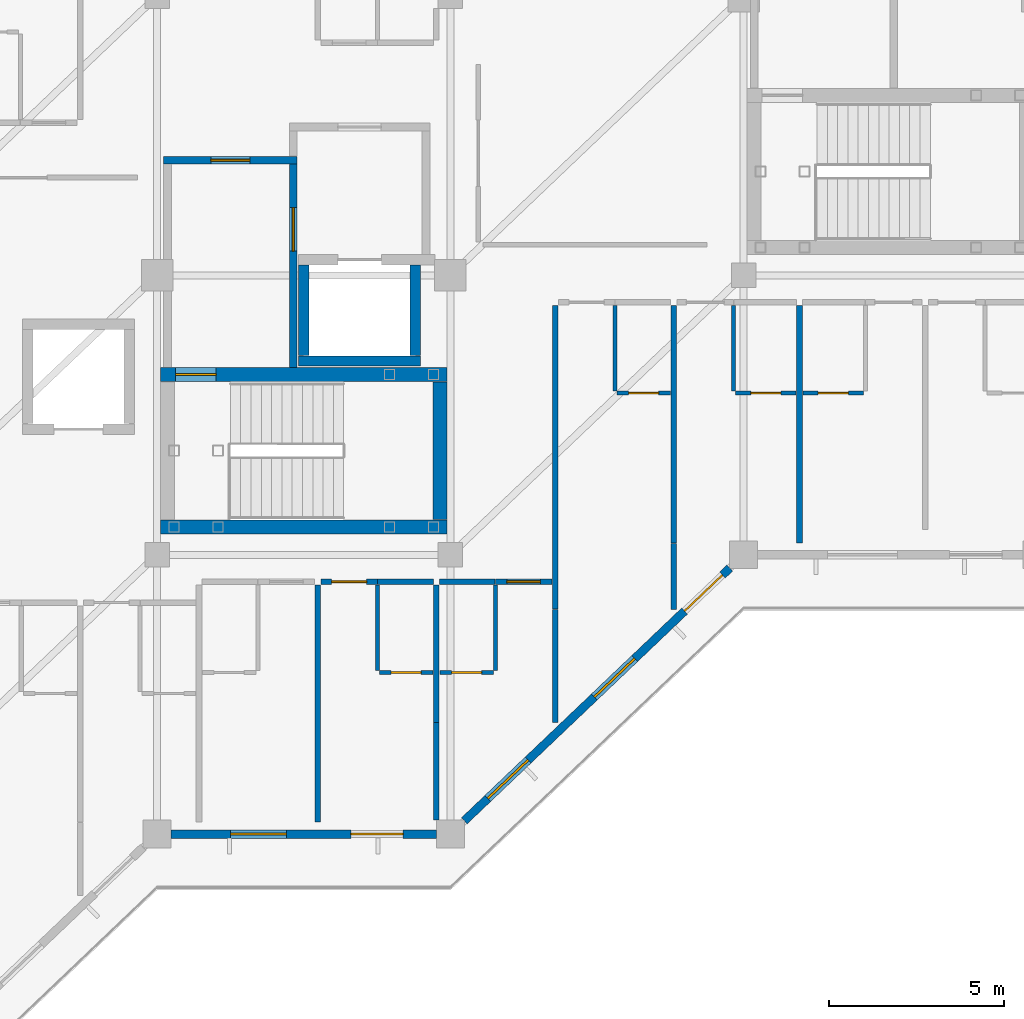
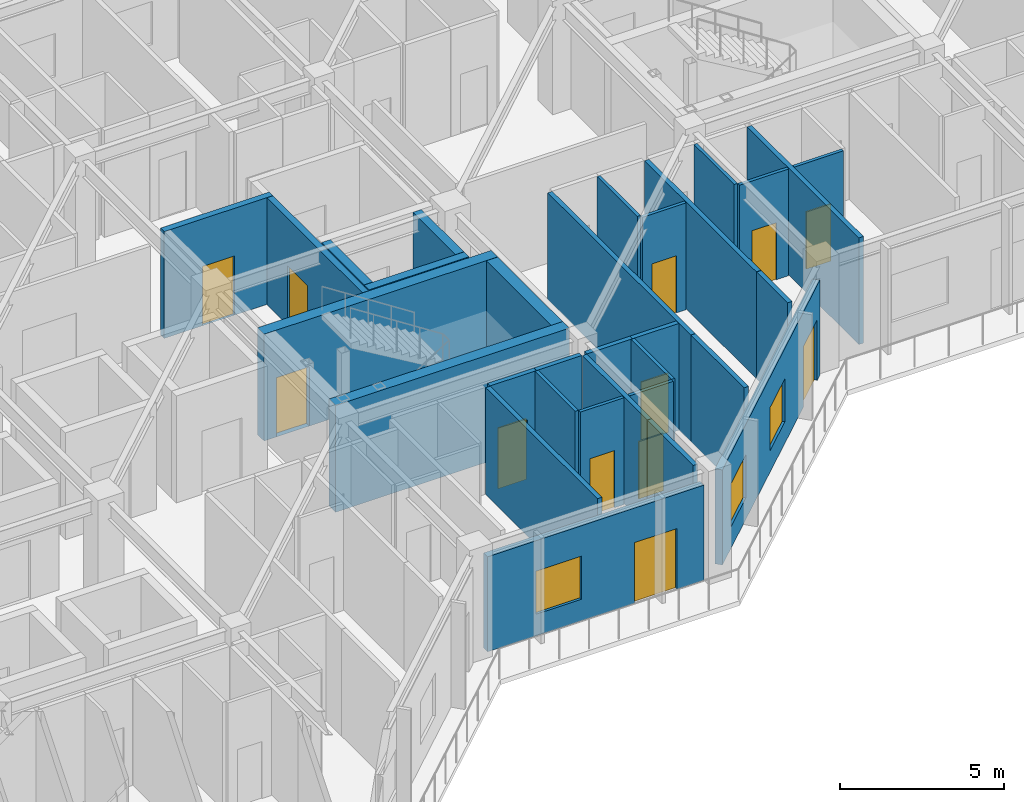
# One storey, part 12 of 22: 31 walls, 12 doors, 3 windows, 15 openings.
"""IFC4 building model written with IfcOpenShell, lengths in metres."""

from ifc_helpers import new_model, si_unit, direction, frame, frame_2d, origin, place, context, subcontext, project, spatial, rectangle, extrude, material, layer, layer_set, type_object, element, fill, save


model = new_model("IFC4")

# Units and contexts
model_context = context("Model", 3, precision=1e-05, world=origin(), true_north=direction((0.0, 1.0)))
body_context = subcontext(model_context, "Body", "Model", "MODEL_VIEW")
ifc_project = project(units=[si_unit("LENGTHUNIT", "METRE"), si_unit("AREAUNIT", "SQUARE_METRE"), si_unit("VOLUMEUNIT", "CUBIC_METRE"), si_unit("PLANEANGLEUNIT", "RADIAN"), si_unit("MASSUNIT", "GRAM", prefix="KILO")], contexts=[model_context])

# Site, building, storey
site_placement = place(None, origin())
site = spatial("IfcSite", under=ifc_project, at=site_placement, CompositionType="ELEMENT")
building_placement = place(site_placement, origin())
building = spatial("IfcBuilding", under=site, at=building_placement, Name="Naruveol Harbour Congress Hotel", CompositionType="ELEMENT")
storey_placement = place(building_placement, frame((0.0, 0.0, 21.0)))
storey = spatial("IfcBuildingStorey", under=building, at=storey_placement, Name="L04", CompositionType="ELEMENT", Elevation=21.0)

# Wall
ifc_material_1 = material(Name="Moisture-Resistant Gypsum Partition", Category="gypsum")
ifc_layer_1 = layer(ifc_material_1, 0.114990234375)
ifc_layer_set_1 = layer_set([ifc_layer_1], Name="Moisture-Resistant Gypsum Partition")
wall_type_1 = type_object("IfcWallType", Name="BATHROOM MOISTURE PARTITION WALL 115", PredefinedType="PARTITIONING", material=ifc_layer_set_1)
wall_1_placement = place(storey_placement, frame((157.510009765625, 12.68994140625, 0.0), z_axis=(0.0, 0.0, 1.0), x_axis=(0.0, 1.0, 0.0)))
element("IfcWall", 1, at=wall_1_placement, inside=storey, type_object=wall_type_1, Name="Bathroom west wall 0588 PW-115", PredefinedType="PARTITIONING", context=body_context, shape_type="SweptSolid", body=[
    extrude(rectangle(XDim=2.449951171875, YDim=0.114990234375, at=frame_2d((1.22509765625, 0.0))), origin(), (0.0, 0.0, 1.0), 3.965087890625),
])

# Wall, opening, door
wall_2_placement = place(storey_placement, frame((157.570068359375, 12.6298828125, 0.0), z_axis=(0.0, 0.0, 1.0), x_axis=(1.0, 0.0, 0.0)))
wall_2 = element("IfcWall", 2, at=wall_2_placement, inside=storey, type_object=wall_type_1, Name="Bathroom south wall 0588 PW-115", PredefinedType="PARTITIONING", context=body_context, shape_type="SweptSolid", body=[
    extrude(rectangle(XDim=1.530029296875, YDim=0.114990234375, at=frame_2d((0.76513671875, 0.0))), origin(), (0.0, 0.0, 1.0), 3.965087890625),
])
opening_1_placement = place(wall_2_placement, frame((0.3349609375, 0.0, 0.0)))
opening_1 = element("IfcOpeningElement", 3, at=opening_1_placement, cuts=wall_2, Name="Opening BD-RM0588", PredefinedType="OPENING", context=body_context, shape_type="SweptSolid", body=[
    extrude(rectangle(XDim=0.860107421875, YDim=2.1201171875, at=frame_2d((0.43017578125, 1.06005859375))), frame((0.0, 0.0673828125, 0.0), z_axis=(0.0, -1.0, 0.0), x_axis=(1.0, 0.0, 0.0)), (0.0, 0.0, 1.0), 0.135009765625),
])
ifc_material_2 = material(Name="Timber & Steel Acoustic Leaf", Category="steel")
door_type_1 = type_object("IfcDoorType", Name="GUEST BATHROOM DOOR 860X2120", OperationType="NOTDEFINED", PredefinedType="DOOR", material=ifc_material_2)
door_1_placement = place(opening_1_placement, origin())
door_1 = element("IfcDoor", 4, at=door_1_placement, inside=storey, type_object=door_type_1, Name="Bathroom Door 0588", OperationType="SINGLE_SWING_RIGHT", OverallHeight=2.1201171875, OverallWidth=0.860107421875, PredefinedType="DOOR", context=body_context, shape_type="SweptSolid", body=[
    extrude(rectangle(XDim=0.860107421875, YDim=2.1201171875, at=frame_2d((0.43017578125, 1.06005859375))), frame((0.0, 0.02490234375, 0.0), z_axis=(0.0, -1.0, 0.0), x_axis=(1.0, 0.0, 0.0)), (0.0, 0.0, 1.0), 0.050048828125),
])
fill(opening_1, door_1)

# Wall
wall_3_placement = place(storey_placement, frame((160.889892578125, 12.68994140625, 0.0), z_axis=(0.0, 0.0, 1.0), x_axis=(0.0, 1.0, 0.0)))
element("IfcWall", 5, at=wall_3_placement, inside=storey, type_object=wall_type_1, Name="Bathroom east wall 0589 PW-115", PredefinedType="PARTITIONING", context=body_context, shape_type="SweptSolid", body=[
    extrude(rectangle(XDim=2.449951171875, YDim=0.114990234375, at=frame_2d((1.22509765625, 0.0))), origin(), (0.0, 0.0, 1.0), 3.965087890625),
])

# Wall, opening, door
wall_4_placement = place(storey_placement, frame((159.300048828125, 12.6298828125, 0.0), z_axis=(0.0, 0.0, 1.0), x_axis=(1.0, 0.0, 0.0)))
wall_4 = element("IfcWall", 6, at=wall_4_placement, inside=storey, type_object=wall_type_1, Name="Bathroom south wall 0589 PW-115", PredefinedType="PARTITIONING", context=body_context, shape_type="SweptSolid", body=[
    extrude(rectangle(XDim=1.530029296875, YDim=0.114990234375, at=frame_2d((0.76513671875, 0.0))), origin(), (0.0, 0.0, 1.0), 3.965087890625),
])
opening_2_placement = place(wall_4_placement, frame((0.3349609375, 0.0, 0.0)))
opening_2 = element("IfcOpeningElement", 7, at=opening_2_placement, cuts=wall_4, Name="Opening BD-RM0589", PredefinedType="OPENING", context=body_context, shape_type="SweptSolid", body=[
    extrude(rectangle(XDim=0.860107421875, YDim=2.1201171875, at=frame_2d((0.43017578125, 1.06005859375))), frame((0.0, 0.0673828125, 0.0), z_axis=(0.0, -1.0, 0.0), x_axis=(1.0, 0.0, 0.0)), (0.0, 0.0, 1.0), 0.135009765625),
])
door_2_placement = place(opening_2_placement, origin())
door_2 = element("IfcDoor", 8, at=door_2_placement, inside=storey, type_object=door_type_1, Name="Bathroom Door 0589", OperationType="SINGLE_SWING_RIGHT", OverallHeight=2.1201171875, OverallWidth=0.860107421875, PredefinedType="DOOR", context=body_context, shape_type="SweptSolid", body=[
    extrude(rectangle(XDim=0.860107421875, YDim=2.1201171875, at=frame_2d((0.43017578125, 1.06005859375))), frame((0.0, 0.02490234375, 0.0), z_axis=(0.0, -1.0, 0.0), x_axis=(1.0, 0.0, 0.0)), (0.0, 0.0, 1.0), 0.050048828125),
])
fill(opening_2, door_2)

# Wall
wall_5_placement = place(storey_placement, frame((164.31005859375, 20.68994140625, 0.0), z_axis=(0.0, 0.0, 1.0), x_axis=(0.0, 1.0, 0.0)))
element("IfcWall", 9, at=wall_5_placement, inside=storey, type_object=wall_type_1, Name="Bathroom west wall 0590 PW-115", PredefinedType="PARTITIONING", context=body_context, shape_type="SweptSolid", body=[
    extrude(rectangle(XDim=2.449951171875, YDim=0.114990234375, at=frame_2d((1.22509765625, 0.0))), origin(), (0.0, 0.0, 1.0), 3.965087890625),
])

# Wall, opening, door
wall_6_placement = place(storey_placement, frame((164.3701171875, 20.6298828125, 0.0), z_axis=(0.0, 0.0, 1.0), x_axis=(1.0, 0.0, 0.0)))
wall_6 = element("IfcWall", 10, at=wall_6_placement, inside=storey, type_object=wall_type_1, Name="Bathroom south wall 0590 PW-115", PredefinedType="PARTITIONING", context=body_context, shape_type="SweptSolid", body=[
    extrude(rectangle(XDim=1.52978515625, YDim=0.114990234375, at=frame_2d((0.764892578125, 0.0))), origin(), (0.0, 0.0, 1.0), 3.965087890625),
])
opening_3_placement = place(wall_6_placement, frame((0.3349609375, 0.0, 0.0)))
opening_3 = element("IfcOpeningElement", 11, at=opening_3_placement, cuts=wall_6, Name="Opening BD-RM0590", PredefinedType="OPENING", context=body_context, shape_type="SweptSolid", body=[
    extrude(rectangle(XDim=0.860107421875, YDim=2.1201171875, at=frame_2d((0.43017578125, 1.06005859375))), frame((0.0, 0.0673828125, 0.0), z_axis=(0.0, -1.0, 0.0), x_axis=(1.0, 0.0, 0.0)), (0.0, 0.0, 1.0), 0.135009765625),
])
door_3_placement = place(opening_3_placement, origin())
door_3 = element("IfcDoor", 12, at=door_3_placement, inside=storey, type_object=door_type_1, Name="Bathroom Door 0590", OperationType="SINGLE_SWING_RIGHT", OverallHeight=2.1201171875, OverallWidth=0.860107421875, PredefinedType="DOOR", context=body_context, shape_type="SweptSolid", body=[
    extrude(rectangle(XDim=0.860107421875, YDim=2.1201171875, at=frame_2d((0.43017578125, 1.06005859375))), frame((0.0, 0.02490234375, 0.0), z_axis=(0.0, -1.0, 0.0), x_axis=(1.0, 0.0, 0.0)), (0.0, 0.0, 1.0), 0.050048828125),
])
fill(opening_3, door_3)

# Wall
wall_7_placement = place(storey_placement, frame((167.7099609375, 20.68994140625, 0.0), z_axis=(0.0, 0.0, 1.0), x_axis=(0.0, 1.0, 0.0)))
element("IfcWall", 13, at=wall_7_placement, inside=storey, type_object=wall_type_1, Name="Bathroom west wall 0591 PW-115", PredefinedType="PARTITIONING", context=body_context, shape_type="SweptSolid", body=[
    extrude(rectangle(XDim=2.449951171875, YDim=0.114990234375, at=frame_2d((1.22509765625, 0.0))), origin(), (0.0, 0.0, 1.0), 3.965087890625),
])

# Wall, opening, door
wall_8_placement = place(storey_placement, frame((167.77001953125, 20.6298828125, 0.0), z_axis=(0.0, 0.0, 1.0), x_axis=(1.0, 0.0, 0.0)))
wall_8 = element("IfcWall", 14, at=wall_8_placement, inside=storey, type_object=wall_type_1, Name="Bathroom south wall 0591 PW-115", PredefinedType="PARTITIONING", context=body_context, shape_type="SweptSolid", body=[
    extrude(rectangle(XDim=1.72998046875, YDim=0.114990234375, at=frame_2d((0.864990234375, 0.0))), origin(), (0.0, 0.0, 1.0), 3.965087890625),
])
opening_4_placement = place(wall_8_placement, frame((0.43505859375, 0.0, 0.0)))
opening_4 = element("IfcOpeningElement", 15, at=opening_4_placement, cuts=wall_8, Name="Opening BD-RM0591", PredefinedType="OPENING", context=body_context, shape_type="SweptSolid", body=[
    extrude(rectangle(XDim=0.860107421875, YDim=2.1201171875, at=frame_2d((0.43017578125, 1.06005859375))), frame((0.0, 0.0673828125, 0.0), z_axis=(0.0, -1.0, 0.0), x_axis=(1.0, 0.0, 0.0)), (0.0, 0.0, 1.0), 0.135009765625),
])
door_4_placement = place(opening_4_placement, origin())
door_4 = element("IfcDoor", 16, at=door_4_placement, inside=storey, type_object=door_type_1, Name="Bathroom Door 0591", OperationType="SINGLE_SWING_RIGHT", OverallHeight=2.1201171875, OverallWidth=0.860107421875, PredefinedType="DOOR", context=body_context, shape_type="SweptSolid", body=[
    extrude(rectangle(XDim=0.860107421875, YDim=2.1201171875, at=frame_2d((0.43017578125, 1.06005859375))), frame((0.0, 0.02490234375, 0.0), z_axis=(0.0, -1.0, 0.0), x_axis=(1.0, 0.0, 0.0)), (0.0, 0.0, 1.0), 0.050048828125),
])
fill(opening_4, door_4)

wall_9_placement = place(storey_placement, frame((169.699951171875, 20.6298828125, 0.0), z_axis=(0.0, 0.0, 1.0), x_axis=(1.0, 0.0, 0.0)))
wall_9 = element("IfcWall", 17, at=wall_9_placement, inside=storey, type_object=wall_type_1, Name="Bathroom south wall 0592 PW-115", PredefinedType="PARTITIONING", context=body_context, shape_type="SweptSolid", body=[
    extrude(rectangle(XDim=1.72998046875, YDim=0.114990234375, at=frame_2d((0.864990234375, 0.0))), origin(), (0.0, 0.0, 1.0), 3.965087890625),
])
opening_5_placement = place(wall_9_placement, frame((0.43505859375, 0.0, 0.0)))
opening_5 = element("IfcOpeningElement", 18, at=opening_5_placement, cuts=wall_9, Name="Opening BD-RM0592", PredefinedType="OPENING", context=body_context, shape_type="SweptSolid", body=[
    extrude(rectangle(XDim=0.860107421875, YDim=2.1201171875, at=frame_2d((0.43017578125, 1.06005859375))), frame((0.0, 0.0673828125, 0.0), z_axis=(0.0, -1.0, 0.0), x_axis=(1.0, 0.0, 0.0)), (0.0, 0.0, 1.0), 0.135009765625),
])
door_5_placement = place(opening_5_placement, origin())
door_5 = element("IfcDoor", 19, at=door_5_placement, inside=storey, type_object=door_type_1, Name="Bathroom Door 0592", OperationType="SINGLE_SWING_RIGHT", OverallHeight=2.1201171875, OverallWidth=0.860107421875, PredefinedType="DOOR", context=body_context, shape_type="SweptSolid", body=[
    extrude(rectangle(XDim=0.860107421875, YDim=2.1201171875, at=frame_2d((0.43017578125, 1.06005859375))), frame((0.0, 0.02490234375, 0.0), z_axis=(0.0, -1.0, 0.0), x_axis=(1.0, 0.0, 0.0)), (0.0, 0.0, 1.0), 0.050048828125),
])
fill(opening_5, door_5)

ifc_material_3 = material(Name="Concrete C40/50", Category="concrete")
ifc_layer_2 = layer(ifc_material_3, 0.219970703125)
ifc_layer_set_2 = layer_set([ifc_layer_2], Name="Concrete C40/50")
wall_type_2 = type_object("IfcWallType", Name="FIRE COMPARTMENT AND LOBBY WALL 220 EI120", PredefinedType="PARTITIONING", material=ifc_layer_set_2)
wall_10_placement = place(storey_placement, frame((151.389892578125, 27.300048828125, 0.0), z_axis=(0.0, 0.0, 1.0), x_axis=(1.0, 0.0, 0.0)))
wall_10 = element("IfcWall", 20, at=wall_10_placement, inside=storey, type_object=wall_type_2, Name="Smoke vestibule ST2 north wall FW-220", PredefinedType="PARTITIONING", context=body_context, shape_type="SweptSolid", body=[
    extrude(rectangle(XDim=3.820068359375, YDim=0.219970703125, at=frame_2d((1.91015625, 0.0))), origin(), (0.0, 0.0, 1.0), 3.965087890625),
])
opening_6_placement = place(wall_10_placement, frame((1.35009765625, 0.0, 0.0)))
opening_6 = element("IfcOpeningElement", 21, at=opening_6_placement, cuts=wall_10, Name="Opening FD-ST2-V-L04", PredefinedType="OPENING", context=body_context, shape_type="SweptSolid", body=[
    extrude(rectangle(XDim=1.1201171875, YDim=2.199951171875, at=frame_2d((0.56005859375, 1.10009765625))), frame((0.0, 0.119873046875, 0.0), z_axis=(0.0, -1.0, 0.0), x_axis=(1.0, 0.0, 0.0)), (0.0, 0.0, 1.0), 0.239990234375),
])
ifc_material_4 = material(Name="Timber & Steel Acoustic Leaf", Category="steel")
door_type_2 = type_object("IfcDoorType", Name="VESTIBULE SMOKE CONTROL FIRE DOOR 1120X2200", OperationType="NOTDEFINED", PredefinedType="DOOR", material=ifc_material_4)
door_6_placement = place(opening_6_placement, origin())
door_6 = element("IfcDoor", 22, at=door_6_placement, inside=storey, type_object=door_type_2, Name="Smoke Vestibule Entry Door ST2 L04", OperationType="SINGLE_SWING_LEFT", OverallHeight=2.199951171875, OverallWidth=1.1201171875, PredefinedType="DOOR", context=body_context, shape_type="SweptSolid", body=[
    extrude(rectangle(XDim=1.1201171875, YDim=2.199951171875, at=frame_2d((0.56005859375, 1.10009765625))), frame((0.0, 0.02490234375, 0.0), z_axis=(0.0, -1.0, 0.0), x_axis=(1.0, 0.0, 0.0)), (0.0, 0.0, 1.0), 0.050048828125),
])
fill(opening_6, door_6)

wall_11_placement = place(storey_placement, frame((155.10009765625, 21.364990234375, 0.0), z_axis=(0.0, 0.0, 1.0), x_axis=(0.0, 1.0, 0.0)))
wall_11 = element("IfcWall", 23, at=wall_11_placement, inside=storey, type_object=wall_type_2, Name="Smoke vestibule ST2 east wall FW-220", PredefinedType="PARTITIONING", context=body_context, shape_type="SweptSolid", body=[
    extrude(rectangle(XDim=5.820068359375, YDim=0.219970703125, at=frame_2d((2.91015625, 0.0))), origin(), (0.0, 0.0, 1.0), 3.965087890625),
])
opening_7_placement = place(wall_11_placement, frame((3.3349609375, 0.0, 0.0)))
opening_7 = element("IfcOpeningElement", 24, at=opening_7_placement, cuts=wall_11, Name="Opening FD-FFL-ST2-L04", PredefinedType="OPENING", context=body_context, shape_type="SweptSolid", body=[
    extrude(rectangle(XDim=1.239990234375, YDim=2.199951171875, at=frame_2d((0.6201171875, 1.10009765625))), frame((0.0, 0.119873046875, 0.0), z_axis=(0.0, -1.0, 0.0), x_axis=(1.0, 0.0, 0.0)), (0.0, 0.0, 1.0), 0.239990234375),
])
ifc_material_5 = material(Name="Timber & Steel Acoustic Leaf", Category="steel")
door_type_3 = type_object("IfcDoorType", Name="FIREFIGHTING LOBBY FIRE DOOR 1240X2200", OperationType="NOTDEFINED", PredefinedType="DOOR", material=ifc_material_5)
door_7_placement = place(opening_7_placement, origin())
door_7 = element("IfcDoor", 25, at=door_7_placement, inside=storey, type_object=door_type_3, Name="Firefighting Lobby Vestibule Door ST2 L04", OperationType="SINGLE_SWING_RIGHT", OverallHeight=2.199951171875, OverallWidth=1.239990234375, PredefinedType="DOOR", context=body_context, shape_type="SweptSolid", body=[
    extrude(rectangle(XDim=1.239990234375, YDim=2.199951171875, at=frame_2d((0.6201171875, 1.10009765625))), frame((0.0, 0.02490234375, 0.0), z_axis=(0.0, -1.0, 0.0), x_axis=(1.0, 0.0, 0.0)), (0.0, 0.0, 1.0), 0.050048828125),
])
fill(opening_7, door_7)

ifc_material_6 = material(Name="Autoclaved Aerated Concrete Block", Category="concrete")
ifc_layer_3 = layer(ifc_material_6, 0.159912109375)
ifc_layer_set_3 = layer_set([ifc_layer_3], Name="Autoclaved Aerated Concrete Block")
wall_type_3 = type_object("IfcWallType", Name="HOTEL PARTY AND CORRIDOR WALL 160 EI60", PredefinedType="PARTITIONING", material=ifc_layer_set_3)
wall_12_placement = place(storey_placement, frame((155.889892578125, 15.22998046875, 0.0), z_axis=(0.0, 0.0, 1.0), x_axis=(1.0, 0.0, 0.0)))
wall_12 = element("IfcWall", 26, at=wall_12_placement, inside=storey, type_object=wall_type_3, Name="Corridor entry wall 0588 PW-160", PredefinedType="PARTITIONING", context=body_context, shape_type="SweptSolid", body=[
    extrude(rectangle(XDim=1.6201171875, YDim=0.159912109375, at=frame_2d((0.81005859375, 0.0))), origin(), (0.0, 0.0, 1.0), 3.965087890625),
])
opening_8_placement = place(wall_12_placement, frame((0.31005859375, 0.0, 0.0)))
opening_8 = element("IfcOpeningElement", 27, at=opening_8_placement, cuts=wall_12, Name="Opening FD-RM0588", PredefinedType="OPENING", context=body_context, shape_type="SweptSolid", body=[
    extrude(rectangle(XDim=1.0, YDim=2.25, at=frame_2d((0.5, 1.125))), frame((0.0, 0.08984375, 0.0), z_axis=(0.0, -1.0, 0.0), x_axis=(1.0, 0.0, 0.0)), (0.0, 0.0, 1.0), 0.179931640625),
])
ifc_material_7 = material(Name="Timber & Steel Acoustic Leaf", Category="steel")
door_type_4 = type_object("IfcDoorType", Name="DELUXE GUEST ENTRANCE FIRE DOOR 1000X2250", OperationType="NOTDEFINED", PredefinedType="DOOR", material=ifc_material_7)
door_8_placement = place(opening_8_placement, origin())
door_8 = element("IfcDoor", 28, at=door_8_placement, inside=storey, type_object=door_type_4, Name="Hotel Room Door 0588", OperationType="SINGLE_SWING_LEFT", OverallHeight=2.25, OverallWidth=1.0, PredefinedType="DOOR", context=body_context, shape_type="SweptSolid", body=[
    extrude(rectangle(XDim=1.0, YDim=2.25, at=frame_2d((0.5, 1.125))), frame((0.0, 0.02490234375, 0.0), z_axis=(0.0, -1.0, 0.0), x_axis=(1.0, 0.0, 0.0)), (0.0, 0.0, 1.0), 0.050048828125),
])
fill(opening_8, door_8)

# Walls
wall_13_placement = place(storey_placement, frame((157.52001953125, 15.22998046875, 0.0), z_axis=(0.0, 0.0, 1.0), x_axis=(1.0, 0.0, 0.0)))
element("IfcWall", 29, at=wall_13_placement, inside=storey, type_object=wall_type_3, Name="Corridor wall 0588B PW-160", PredefinedType="PARTITIONING", context=body_context, shape_type="SweptSolid", body=[
    extrude(rectangle(XDim=1.590087890625, YDim=0.159912109375, at=frame_2d((0.794921875, 0.0))), origin(), (0.0, 0.0, 1.0), 3.965087890625),
])
wall_14_placement = place(storey_placement, frame((155.800048828125, 8.340087890625, 0.0), z_axis=(0.0, 0.0, 1.0), x_axis=(0.0, 1.0, 0.0)))
element("IfcWall", 30, at=wall_14_placement, inside=storey, type_object=wall_type_3, Name="Hotel party wall 0588 PW-160", PredefinedType="PARTITIONING", context=body_context, shape_type="SweptSolid", body=[
    extrude(rectangle(XDim=6.7998046875, YDim=0.159912109375, at=frame_2d((3.39990234375, 0.0))), origin(), (0.0, 0.0, 1.0), 3.965087890625),
])
wall_15_placement = place(storey_placement, frame((159.199951171875, 8.409912109375, 0.0), z_axis=(0.0, 0.0, 1.0), x_axis=(0.0, 1.0, 0.0)))
element("IfcWall", 31, at=wall_15_placement, inside=storey, type_object=wall_type_3, Name="Hotel end party wall 0588 PW-160", PredefinedType="PARTITIONING", context=body_context, shape_type="SweptSolid", body=[
    extrude(rectangle(XDim=2.780029296875, YDim=0.159912109375, at=frame_2d((1.39013671875, 0.0))), origin(), (0.0, 0.0, 1.0), 3.965087890625),
])
wall_16_placement = place(storey_placement, frame((159.2900390625, 15.22998046875, 0.0), z_axis=(0.0, 0.0, 1.0), x_axis=(1.0, 0.0, 0.0)))
element("IfcWall", 32, at=wall_16_placement, inside=storey, type_object=wall_type_3, Name="Corridor wall 0589B PW-160", PredefinedType="PARTITIONING", context=body_context, shape_type="SweptSolid", body=[
    extrude(rectangle(XDim=1.58984375, YDim=0.159912109375, at=frame_2d((0.794921875, 0.0))), origin(), (0.0, 0.0, 1.0), 3.965087890625),
])

# Wall, opening, door
wall_17_placement = place(storey_placement, frame((160.889892578125, 15.22998046875, 0.0), z_axis=(0.0, 0.0, 1.0), x_axis=(1.0, 0.0, 0.0)))
wall_17 = element("IfcWall", 33, at=wall_17_placement, inside=storey, type_object=wall_type_3, Name="Corridor entry wall 0589 PW-160", PredefinedType="PARTITIONING", context=body_context, shape_type="SweptSolid", body=[
    extrude(rectangle(XDim=1.6201171875, YDim=0.159912109375, at=frame_2d((0.81005859375, 0.0))), origin(), (0.0, 0.0, 1.0), 3.965087890625),
])
opening_9_placement = place(wall_17_placement, frame((0.330078125, 0.0, 0.0)))
opening_9 = element("IfcOpeningElement", 34, at=opening_9_placement, cuts=wall_17, Name="Opening FD-RM0589", PredefinedType="OPENING", context=body_context, shape_type="SweptSolid", body=[
    extrude(rectangle(XDim=0.9599609375, YDim=2.199951171875, at=frame_2d((0.47998046875, 1.10009765625))), frame((0.0, 0.08984375, 0.0), z_axis=(0.0, -1.0, 0.0), x_axis=(1.0, 0.0, 0.0)), (0.0, 0.0, 1.0), 0.179931640625),
])
ifc_material_8 = material(Name="Timber & Steel Acoustic Leaf", Category="steel")
door_type_5 = type_object("IfcDoorType", Name="GUEST ROOM ENTRANCE FIRE DOOR 960X2200", OperationType="NOTDEFINED", PredefinedType="DOOR", material=ifc_material_8)
door_9_placement = place(opening_9_placement, origin())
door_9 = element("IfcDoor", 35, at=door_9_placement, inside=storey, type_object=door_type_5, Name="Hotel Room Door 0589", OperationType="SINGLE_SWING_LEFT", OverallHeight=2.199951171875, OverallWidth=0.9599609375, PredefinedType="DOOR", context=body_context, shape_type="SweptSolid", body=[
    extrude(rectangle(XDim=0.9599609375, YDim=2.199951171875, at=frame_2d((0.47998046875, 1.10009765625))), frame((0.0, 0.02490234375, 0.0), z_axis=(0.0, -1.0, 0.0), x_axis=(1.0, 0.0, 0.0)), (0.0, 0.0, 1.0), 0.050048828125),
])
fill(opening_9, door_9)

# Walls
wall_18_placement = place(storey_placement, frame((159.199951171875, 11.199951171875, 0.0), z_axis=(0.0, 0.0, 1.0), x_axis=(0.0, 1.0, 0.0)))
element("IfcWall", 36, at=wall_18_placement, inside=storey, type_object=wall_type_3, Name="Hotel party wall 0589 PW-160", PredefinedType="PARTITIONING", context=body_context, shape_type="SweptSolid", body=[
    extrude(rectangle(XDim=3.93994140625, YDim=0.159912109375, at=frame_2d((1.969970703125, 0.0))), origin(), (0.0, 0.0, 1.0), 3.965087890625),
])
wall_19_placement = place(storey_placement, frame((162.60009765625, 11.199951171875, 0.0), z_axis=(0.0, 0.0, 1.0), x_axis=(0.0, 1.0, 0.0)))
element("IfcWall", 37, at=wall_19_placement, inside=storey, type_object=wall_type_3, Name="Hotel end party wall 0589 PW-160", PredefinedType="PARTITIONING", context=body_context, shape_type="SweptSolid", body=[
    extrude(rectangle(XDim=3.22998046875, YDim=0.159912109375, at=frame_2d((1.614990234375, 0.0))), origin(), (0.0, 0.0, 1.0), 3.965087890625),
])
wall_20_placement = place(storey_placement, frame((162.60009765625, 14.43994140625, 0.0), z_axis=(0.0, 0.0, 1.0), x_axis=(0.0, 1.0, 0.0)))
element("IfcWall", 38, at=wall_20_placement, inside=storey, type_object=wall_type_3, Name="Hotel party wall 0590 PW-160", PredefinedType="PARTITIONING", context=body_context, shape_type="SweptSolid", body=[
    extrude(rectangle(XDim=8.699951171875, YDim=0.159912109375, at=frame_2d((4.35009765625, 0.0))), origin(), (0.0, 0.0, 1.0), 3.965087890625),
])
wall_21_placement = place(storey_placement, frame((166.0, 14.43994140625, 0.0), z_axis=(0.0, 0.0, 1.0), x_axis=(0.0, 1.0, 0.0)))
element("IfcWall", 39, at=wall_21_placement, inside=storey, type_object=wall_type_3, Name="Hotel end party wall 0590 PW-160", PredefinedType="PARTITIONING", context=body_context, shape_type="SweptSolid", body=[
    extrude(rectangle(XDim=1.89013671875, YDim=0.159912109375, at=frame_2d((0.945068359375, 0.0))), origin(), (0.0, 0.0, 1.0), 3.965087890625),
])
for number, where, z_axis, x_axis, name in (
    (40, (166.0, 16.340087890625, 0.0), (0.0, 0.0, 1.0), (0.0, 1.0, 0.0), "Hotel party wall 0591 PW-160"),
    (41, (169.60009765625, 16.340087890625, 0.0), (0.0, 0.0, 1.0), (0.0, 1.0, 0.0), "Hotel party wall 0592 PW-160"),
):
    element("IfcWall", number, at=place(storey_placement, frame(where, z_axis=z_axis, x_axis=x_axis)), inside=storey, type_object=wall_type_3, Name=name, PredefinedType="PARTITIONING", context=body_context, shape_type="SweptSolid", body=[
        extrude(rectangle(XDim=6.7998046875, YDim=0.159912109375, at=frame_2d((3.39990234375, 0.0))), origin(), (0.0, 0.0, 1.0), 3.965087890625),
    ])

# Wall, openings, window, door
ifc_material_9 = material(Name="Concrete C40/50", Category="concrete")
ifc_layer_4 = layer(ifc_material_9, 0.239990234375)
ifc_layer_set_4 = layer_set([ifc_layer_4], Name="Concrete C40/50")
wall_type_4 = type_object("IfcWallType", Name="INSULATED HOTEL SPANDREL WALL 240", PredefinedType="SOLIDWALL", material=ifc_layer_set_4)
wall_22_placement = place(storey_placement, frame((159.199951171875, 8.0, 0.0), z_axis=(0.0, 0.0, 1.0), x_axis=(-1.0, 0.0, 0.0)))
wall_22 = element("IfcWall", 42, at=wall_22_placement, inside=storey, type_object=wall_type_4, Name="Hotel south waterfront wall L04 EW-240", PredefinedType="SOLIDWALL", context=body_context, shape_type="SweptSolid", body=[
    extrude(rectangle(XDim=7.599853515625, YDim=0.239990234375, at=frame_2d((3.7998046875, 0.0))), origin(), (0.0, 0.0, 1.0), 3.530029296875),
])
opening_10_placement = place(wall_22_placement, frame((0.949951171875, 0.0, 0.0)))
opening_10 = element("IfcOpeningElement", 43, at=opening_10_placement, cuts=wall_22, Name="Opening BD-150-034", PredefinedType="OPENING", context=body_context, shape_type="SweptSolid", body=[
    extrude(rectangle(XDim=1.5, YDim=2.25, at=frame_2d((0.75, 1.125))), frame((0.0, 0.1298828125, 0.0), z_axis=(0.0, -1.0, 0.0), x_axis=(1.0, 0.0, 0.0)), (0.0, 0.0, 1.0), 0.260009765625),
])
opening_11_placement = place(wall_22_placement, frame((4.300048828125, 0.0, 0.800048828125)))
opening_11 = element("IfcOpeningElement", 44, at=opening_11_placement, cuts=wall_22, Name="Opening W-03", PredefinedType="OPENING", context=body_context, shape_type="SweptSolid", body=[
    extrude(rectangle(XDim=1.60009765625, YDim=1.60009765625, at=frame_2d((0.800048828125, 0.800048828125))), frame((0.0, 0.1298828125, 0.0), z_axis=(0.0, -1.0, 0.0), x_axis=(1.0, 0.0, 0.0)), (0.0, 0.0, 1.0), 0.260009765625),
])
ifc_material_10 = material(Name="Low-E Triple Glazing in Thermal Aluminium", Category="aluminium")
window_type = type_object("IfcWindowType", Name="DELUXE GUEST WINDOW 1600X1600", PartitioningType="SINGLE_PANEL", PredefinedType="WINDOW", material=ifc_material_10)
window_1_placement = place(opening_11_placement, origin())
window_1 = element("IfcWindow", 45, at=window_1_placement, inside=storey, type_object=window_type, Name="Window W-03 #286", OverallHeight=1.60009765625, OverallWidth=1.60009765625, PartitioningType="SINGLE_PANEL", PredefinedType="WINDOW", context=body_context, shape_type="SweptSolid", body=[
    extrude(rectangle(XDim=1.60009765625, YDim=1.60009765625, at=frame_2d((0.800048828125, 0.800048828125))), frame((0.0, 0.030029296875, 0.0), z_axis=(0.0, -1.0, 0.0), x_axis=(1.0, 0.0, 0.0)), (0.0, 0.0, 1.0), 0.06005859375),
])
fill(opening_11, window_1)
ifc_material_11 = material(Name="Powder-Coated Steel & Insulated Glazing", Category="steel")
door_type_6 = type_object("IfcDoorType", Name="SUITE BALCONY SLIDING DOOR 1500X2250", OperationType="SLIDING_TO_LEFT", PredefinedType="DOOR", material=ifc_material_11)
door_10_placement = place(opening_10_placement, origin())
door_10 = element("IfcDoor", 46, at=door_10_placement, inside=storey, type_object=door_type_6, Name="Exterior door BD-150-034", OperationType="SLIDING_TO_LEFT", OverallHeight=2.25, OverallWidth=1.5, PredefinedType="DOOR", context=body_context, shape_type="SweptSolid", body=[
    extrude(rectangle(XDim=1.5, YDim=2.25, at=frame_2d((0.75, 1.125))), frame((0.0, 0.02490234375, 0.0), z_axis=(0.0, -1.0, 0.0), x_axis=(1.0, 0.0, 0.0)), (0.0, 0.0, 1.0), 0.050048828125),
])
fill(opening_10, door_10)

# Wall, openings, windows, door
wall_23_placement = place(storey_placement, frame((167.60009765625, 15.618896484375, 0.0), z_axis=(0.0, 0.0, 1.0), x_axis=(-0.724156739794, -0.689635422677, 0.0)))
wall_23 = element("IfcWall", 47, at=wall_23_placement, inside=storey, type_object=wall_type_4, Name="Hotel south waterfront wall L04 EW-240", PredefinedType="SOLIDWALL", context=body_context, shape_type="SweptSolid", body=[
    extrude(rectangle(XDim=10.4951171875, YDim=0.239990234375, at=frame_2d((5.24755859375, 0.0))), origin(), (0.0, 0.0, 1.0), 3.530029296875),
])
opening_12_placement = place(wall_23_placement, frame((0.285888671875, 0.0, 0.0)))
opening_12 = element("IfcOpeningElement", 48, at=opening_12_placement, cuts=wall_23, Name="Opening BD-150-035", PredefinedType="OPENING", context=body_context, shape_type="SweptSolid", body=[
    extrude(rectangle(XDim=1.5, YDim=2.25, at=frame_2d((0.75, 1.125))), frame((0.0, 0.1298828125, 0.0), z_axis=(0.0, -1.0, 0.0), x_axis=(1.0, 0.0, 0.0)), (0.0, 0.0, 1.0), 0.260009765625),
])
opening_13_placement = place(wall_23_placement, frame((3.757080078125, 0.0, 0.800048828125)))
opening_13 = element("IfcOpeningElement", 49, at=opening_13_placement, cuts=wall_23, Name="Opening W-03", PredefinedType="OPENING", context=body_context, shape_type="SweptSolid", body=[
    extrude(rectangle(XDim=1.60009765625, YDim=1.60009765625, at=frame_2d((0.800048828125, 0.800048828125))), frame((0.0, 0.1298828125, 0.0), z_axis=(0.0, -1.0, 0.0), x_axis=(1.0, 0.0, 0.0)), (0.0, 0.0, 1.0), 0.260009765625),
])
opening_14_placement = place(wall_23_placement, frame((7.968994140625, 0.0, 0.800048828125)))
opening_14 = element("IfcOpeningElement", 50, at=opening_14_placement, cuts=wall_23, Name="Opening W-03", PredefinedType="OPENING", context=body_context, shape_type="SweptSolid", body=[
    extrude(rectangle(XDim=1.60009765625, YDim=1.60009765625, at=frame_2d((0.800048828125, 0.800048828125))), frame((0.0, 0.1298828125, 0.0), z_axis=(0.0, -1.0, 0.0), x_axis=(1.0, 0.0, 0.0)), (0.0, 0.0, 1.0), 0.260009765625),
])
window_2_placement = place(opening_13_placement, origin())
window_2 = element("IfcWindow", 51, at=window_2_placement, inside=storey, type_object=window_type, Name="Window W-03 #289", OverallHeight=1.60009765625, OverallWidth=1.60009765625, PartitioningType="SINGLE_PANEL", PredefinedType="WINDOW", context=body_context, shape_type="SweptSolid", body=[
    extrude(rectangle(XDim=1.60009765625, YDim=1.60009765625, at=frame_2d((0.800048828125, 0.800048828125))), frame((0.0, 0.030029296875, 0.0), z_axis=(0.0, -1.0, 0.0), x_axis=(1.0, 0.0, 0.0)), (0.0, 0.0, 1.0), 0.06005859375),
])
fill(opening_13, window_2)
window_3_placement = place(opening_14_placement, origin())
window_3 = element("IfcWindow", 52, at=window_3_placement, inside=storey, type_object=window_type, Name="Window W-03 #290", OverallHeight=1.60009765625, OverallWidth=1.60009765625, PartitioningType="SINGLE_PANEL", PredefinedType="WINDOW", context=body_context, shape_type="SweptSolid", body=[
    extrude(rectangle(XDim=1.60009765625, YDim=1.60009765625, at=frame_2d((0.800048828125, 0.800048828125))), frame((0.0, 0.030029296875, 0.0), z_axis=(0.0, -1.0, 0.0), x_axis=(1.0, 0.0, 0.0)), (0.0, 0.0, 1.0), 0.06005859375),
])
fill(opening_14, window_3)
door_11_placement = place(opening_12_placement, origin())
door_11 = element("IfcDoor", 53, at=door_11_placement, inside=storey, type_object=door_type_6, Name="Exterior door BD-150-035", OperationType="SLIDING_TO_LEFT", OverallHeight=2.25, OverallWidth=1.5, PredefinedType="DOOR", context=body_context, shape_type="SweptSolid", body=[
    extrude(rectangle(XDim=1.5, YDim=2.25, at=frame_2d((0.75, 1.125))), frame((0.0, 0.02490234375, 0.0), z_axis=(0.0, -1.0, 0.0), x_axis=(1.0, 0.0, 0.0)), (0.0, 0.0, 1.0), 0.050048828125),
])
fill(opening_12, door_11)

# Walls
ifc_material_12 = material(Name="Concrete C50/60", Category="concrete")
ifc_layer_5 = layer(ifc_material_12, 0.39990234375)
ifc_layer_set_5 = layer_set([ifc_layer_5], Name="Concrete C50/60")
wall_type_5 = type_object("IfcWallType", Name="RC CORE SHEAR WALL 400 EI120", PredefinedType="SHEAR", material=ifc_layer_set_5)
wall_24_placement = place(storey_placement, frame((151.300048828125, 16.800048828125, 0.0), z_axis=(0.0, 0.0, 1.0), x_axis=(1.0, 0.0, 0.0)))
element("IfcWall", 54, at=wall_24_placement, inside=storey, type_object=wall_type_5, Name="Stair ST2 south core wall CW-400", PredefinedType="SHEAR", context=body_context, shape_type="SweptSolid", body=[
    extrude(rectangle(XDim=8.199951171875, YDim=0.39990234375, at=frame_2d((4.10009765625, 0.0))), origin(), (0.0, 0.0, 1.0), 3.965087890625),
])
wall_25_placement = place(storey_placement, frame((159.300048828125, 17.0048828125, 0.0), z_axis=(0.0, 0.0, 1.0), x_axis=(0.0, 1.0, 0.0)))
element("IfcWall", 55, at=wall_25_placement, inside=storey, type_object=wall_type_5, Name="Stair ST2 east core wall CW-400", PredefinedType="SHEAR", context=body_context, shape_type="SweptSolid", body=[
    extrude(rectangle(XDim=3.9501953125, YDim=0.39990234375, at=frame_2d((1.97509765625, 0.0))), origin(), (0.0, 0.0, 1.0), 3.965087890625),
])

# Wall, opening, door
wall_26_placement = place(storey_placement, frame((151.300048828125, 21.159912109375, 0.0), z_axis=(0.0, 0.0, 1.0), x_axis=(1.0, 0.0, 0.0)))
wall_26 = element("IfcWall", 56, at=wall_26_placement, inside=storey, type_object=wall_type_5, Name="Stair ST2 north core wall CW-400", PredefinedType="SHEAR", context=body_context, shape_type="SweptSolid", body=[
    extrude(rectangle(XDim=8.199951171875, YDim=0.39990234375, at=frame_2d((4.10009765625, 0.0))), origin(), (0.0, 0.0, 1.0), 3.965087890625),
])
opening_15_placement = place(wall_26_placement, frame((0.429931640625, 0.0, 0.0)))
opening_15 = element("IfcOpeningElement", 57, at=opening_15_placement, cuts=wall_26, Name="Opening FD-ST2-S-L04", PredefinedType="OPENING", context=body_context, shape_type="SweptSolid", body=[
    extrude(rectangle(XDim=1.159912109375, YDim=2.199951171875, at=frame_2d((0.580078125, 1.10009765625))), frame((0.0, 0.2099609375, 0.0), z_axis=(0.0, -1.0, 0.0), x_axis=(1.0, 0.0, 0.0)), (0.0, 0.0, 1.0), 0.419921875),
])
ifc_material_13 = material(Name="Timber & Steel Acoustic Leaf", Category="steel")
door_type_7 = type_object("IfcDoorType", Name="SPECIAL ESCAPE STAIR FIRE DOOR 1160X2200", OperationType="NOTDEFINED", PredefinedType="DOOR", material=ifc_material_13)
door_12_placement = place(opening_15_placement, origin())
door_12 = element("IfcDoor", 58, at=door_12_placement, inside=storey, type_object=door_type_7, Name="Special Escape Stair Door ST2 L04", OperationType="SINGLE_SWING_RIGHT", OverallHeight=2.199951171875, OverallWidth=1.159912109375, PredefinedType="DOOR", context=body_context, shape_type="SweptSolid", body=[
    extrude(rectangle(XDim=1.159912109375, YDim=2.199951171875, at=frame_2d((0.580078125, 1.10009765625))), frame((0.0, 0.02490234375, 0.0), z_axis=(0.0, -1.0, 0.0), x_axis=(1.0, 0.0, 0.0)), (0.0, 0.0, 1.0), 0.050048828125),
])
fill(opening_15, door_12)

# Walls
ifc_material_14 = material(Name="Concrete C50/60", Category="concrete")
ifc_layer_6 = layer(ifc_material_14, 0.300048828125)
ifc_layer_set_6 = layer_set([ifc_layer_6], Name="Concrete C50/60")
wall_type_6 = type_object("IfcWallType", Name="RC STAIR AND HOISTWAY SHEAR WALL 300 EI120", PredefinedType="SHEAR", material=ifc_layer_set_6)
wall_27_placement = place(storey_placement, frame((155.25, 21.550048828125, 0.0), z_axis=(0.0, 0.0, 1.0), x_axis=(1.0, 0.0, 0.0)))
element("IfcWall", 59, at=wall_27_placement, inside=storey, type_object=wall_type_6, Name="Hoistway south shear wall FL2 SW-300", PredefinedType="SHEAR", context=body_context, shape_type="SweptSolid", body=[
    extrude(rectangle(XDim=3.5, YDim=0.300048828125, at=frame_2d((1.75, 0.0))), origin(), (0.0, 0.0, 1.0), 3.965087890625),
])
for number, where, z_axis, x_axis, name in (
    (60, (158.60009765625, 21.705078125, 0.0), (0.0, 0.0, 1.0), (0.0, 1.0, 0.0), "Hoistway east shear wall FL2 SW-300"),
    (61, (155.39990234375, 24.294921875, 0.0), (0.0, 0.0, 1.0), (0.0, -1.0, 0.0), "Hoistway west shear wall FL2 SW-300"),
):
    element("IfcWall", number, at=place(storey_placement, frame(where, z_axis=z_axis, x_axis=x_axis)), inside=storey, type_object=wall_type_6, Name=name, PredefinedType="SHEAR", context=body_context, shape_type="SweptSolid", body=[
        extrude(rectangle(XDim=2.58984375, YDim=0.300048828125, at=frame_2d((1.294921875, 0.0))), origin(), (0.0, 0.0, 1.0), 3.965087890625),
    ])

save(model, "model.ifc")
